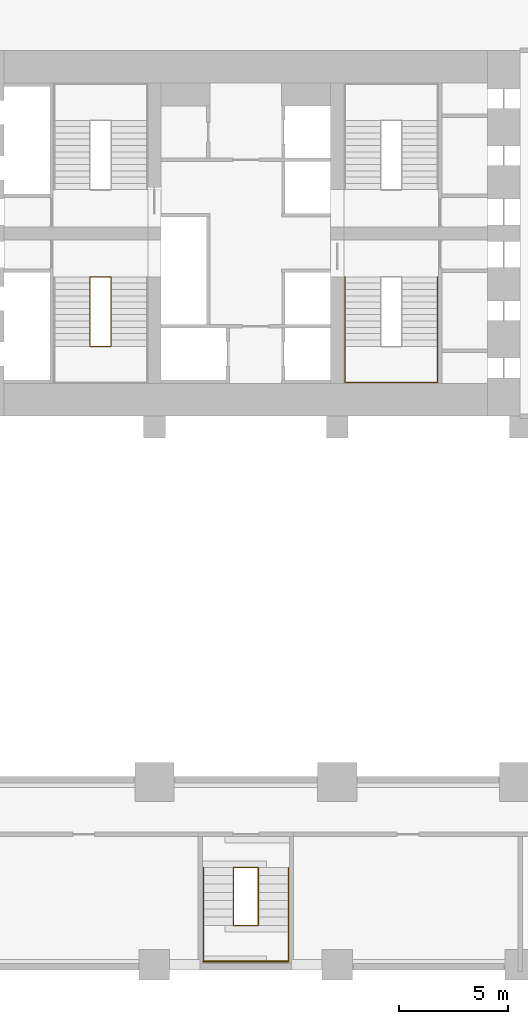
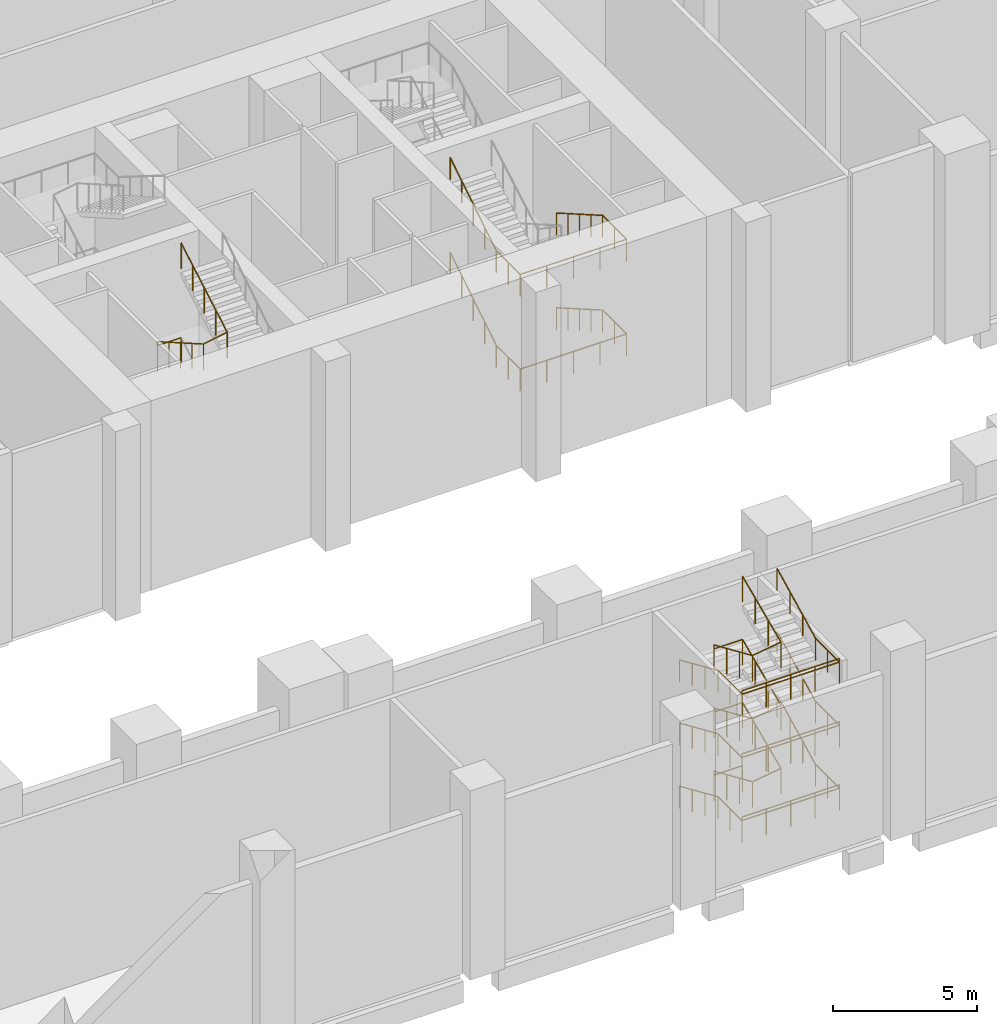
# One storey, part 14 of 19: 12 railings.
"""IFC4 building model written with IfcOpenShell, lengths in metres."""

from ifc_helpers import new_model, si_unit, direction, frame, origin, origin_2d, place, context, subcontext, project, spatial, circle, extrude, material, type_object, element, save


model = new_model("IFC4")

# Units and contexts
model_context = context("Model", 3, precision=1e-05, world=origin(), true_north=direction((0.0, 1.0)))
body_context = subcontext(model_context, "Body", "Model", "MODEL_VIEW")
ifc_project = project(units=[si_unit("LENGTHUNIT", "METRE"), si_unit("AREAUNIT", "SQUARE_METRE"), si_unit("VOLUMEUNIT", "CUBIC_METRE"), si_unit("PLANEANGLEUNIT", "RADIAN"), si_unit("MASSUNIT", "GRAM", prefix="KILO")], contexts=[model_context])

# Site, building, storey
site_placement = place(None, origin())
site = spatial("IfcSite", under=ifc_project, at=site_placement, CompositionType="ELEMENT")
building_placement = place(site_placement, origin())
building = spatial("IfcBuilding", under=site, at=building_placement, Name="Marenta Gate Hotel Tower", CompositionType="ELEMENT")
storey_placement = place(building_placement, frame((0.0, 0.0, 13.0)))
storey = spatial("IfcBuildingStorey", under=building, at=storey_placement, Name="L02", CompositionType="ELEMENT", Elevation=13.0)

# Railings
ifc_material_1 = material(Name="Stainless steel", Category="steel")
railing_type_1 = type_object("IfcRailingType", Name="Core stair handrail 950", PredefinedType="HANDRAIL", material=ifc_material_1)
railing_1_placement = place(storey_placement, frame((8.800048828125, 6.39990234375, 0.166748046875)))
element("IfcRailing", 1, at=railing_1_placement, inside=storey, type_object=railing_type_1, Name="HR-950 L02-KR-ST3-1", PredefinedType="HANDRAIL", context=body_context, shape_type="SweptSolid", body=[
    extrude(circle(Radius=0.02392578125, at=origin_2d()), frame((0.0, 0.0, 0.92578125), z_axis=(0.0, -0.867019545617, 0.498274128887), x_axis=(1.0, 0.0, 0.0)), (0.0, 0.0, 1.0), 3.67919921875),
    extrude(circle(Radius=0.02392578125, at=origin_2d()), frame((0.0, -3.18994140625, 2.75927734375), z_axis=(0.0, -1.0, 0.0), x_axis=(1.0, 0.0, 0.0)), (0.0, 0.0, 1.0), 1.659912109375),
    extrude(circle(Radius=0.02392578125, at=origin_2d()), frame((0.0, -4.849853515625, 2.75927734375), z_axis=(-1.0, 0.0, 0.0), x_axis=(0.0, -1.0, 0.0)), (0.0, 0.0, 1.0), 4.25),
    extrude(circle(Radius=0.02392578125, at=origin_2d()), frame((-4.25, -4.849853515625, 2.75927734375), z_axis=(0.0, 1.0, 0.0), x_axis=(-1.0, 0.0, 0.0)), (0.0, 0.0, 1.0), 1.659912109375),
    extrude(circle(Radius=0.02392578125, at=origin_2d()), frame((-4.25, -3.18994140625, 2.75927734375), z_axis=(0.0, 0.847247016309, 0.531199108955), x_axis=(-1.0, 0.0, 0.0)), (0.0, 0.0, 1.0), 3.76513671875),
    extrude(circle(Radius=0.02099609375, at=origin_2d()), origin(), (0.0, 0.0, 1.0), 0.90185546875),
    extrude(circle(Radius=0.02099609375, at=origin_2d()), frame((0.0, -0.79736328125, 0.458251953125)), (0.0, 0.0, 1.0), 0.90185546875),
    extrude(circle(Radius=0.02099609375, at=origin_2d()), frame((0.0, -1.594970703125, 0.91650390625)), (0.0, 0.0, 1.0), 0.90185546875),
    extrude(circle(Radius=0.02099609375, at=origin_2d()), frame((0.0, -2.392578125, 1.375)), (0.0, 0.0, 1.0), 0.90185546875),
    extrude(circle(Radius=0.02099609375, at=origin_2d()), frame((0.0, -3.18994140625, 1.833251953125)), (0.0, 0.0, 1.0), 0.90185546875),
    extrude(circle(Radius=0.02099609375, at=origin_2d()), frame((0.0, -4.02001953125, 1.833251953125)), (0.0, 0.0, 1.0), 0.90185546875),
    extrude(circle(Radius=0.02099609375, at=origin_2d()), frame((0.0, -4.849853515625, 1.833251953125)), (0.0, 0.0, 1.0), 0.90185546875),
    extrude(circle(Radius=0.02099609375, at=origin_2d()), frame((-1.0625, -4.849853515625, 1.833251953125)), (0.0, 0.0, 1.0), 0.90185546875),
    extrude(circle(Radius=0.02099609375, at=origin_2d()), frame((-2.125, -4.849853515625, 1.833251953125)), (0.0, 0.0, 1.0), 0.90185546875),
    extrude(circle(Radius=0.02099609375, at=origin_2d()), frame((-3.1875, -4.849853515625, 1.833251953125)), (0.0, 0.0, 1.0), 0.90185546875),
    extrude(circle(Radius=0.02099609375, at=origin_2d()), frame((-4.25, -4.849853515625, 1.833251953125)), (0.0, 0.0, 1.0), 0.90185546875),
    extrude(circle(Radius=0.02099609375, at=origin_2d()), frame((-4.25, -4.02001953125, 1.833251953125)), (0.0, 0.0, 1.0), 0.90185546875),
    extrude(circle(Radius=0.02099609375, at=origin_2d()), frame((-4.25, -3.18994140625, 1.833251953125)), (0.0, 0.0, 1.0), 0.90185546875),
    extrude(circle(Radius=0.02099609375, at=origin_2d()), frame((-4.25, -2.392578125, 2.333251953125)), (0.0, 0.0, 1.0), 0.90185546875),
    extrude(circle(Radius=0.02099609375, at=origin_2d()), frame((-4.25, -1.594970703125, 2.833251953125)), (0.0, 0.0, 1.0), 0.90185546875),
    extrude(circle(Radius=0.02099609375, at=origin_2d()), frame((-4.25, -0.79736328125, 3.333251953125)), (0.0, 0.0, 1.0), 0.90185546875),
    extrude(circle(Radius=0.02099609375, at=origin_2d()), frame((-4.25, 0.0, 3.833251953125)), (0.0, 0.0, 1.0), 0.90185546875),
])
railing_2_placement = place(storey_placement, frame((8.800048828125, 6.39990234375, 4.166748046875)))
element("IfcRailing", 2, at=railing_2_placement, inside=storey, type_object=railing_type_1, Name="HR-950 L02-KR-ST3-3", PredefinedType="HANDRAIL", context=body_context, shape_type="SweptSolid", body=[
    extrude(circle(Radius=0.02392578125, at=origin_2d()), frame((0.0, 0.0, 0.92578125), z_axis=(0.0, -0.867019545617, 0.498274128887), x_axis=(1.0, 0.0, 0.0)), (0.0, 0.0, 1.0), 3.67919921875),
    extrude(circle(Radius=0.02392578125, at=origin_2d()), frame((0.0, -3.18994140625, 2.75927734375), z_axis=(0.0, -1.0, 0.0), x_axis=(1.0, 0.0, 0.0)), (0.0, 0.0, 1.0), 1.659912109375),
    extrude(circle(Radius=0.02392578125, at=origin_2d()), frame((0.0, -4.849853515625, 2.75927734375), z_axis=(-1.0, 0.0, 0.0), x_axis=(0.0, -1.0, 0.0)), (0.0, 0.0, 1.0), 4.25),
    extrude(circle(Radius=0.02392578125, at=origin_2d()), frame((-4.25, -4.849853515625, 2.75927734375), z_axis=(0.0, 1.0, 0.0), x_axis=(-1.0, 0.0, 0.0)), (0.0, 0.0, 1.0), 1.659912109375),
    extrude(circle(Radius=0.02392578125, at=origin_2d()), frame((-4.25, -3.18994140625, 2.75927734375), z_axis=(0.0, 0.847247016309, 0.531199108955), x_axis=(-1.0, 0.0, 0.0)), (0.0, 0.0, 1.0), 3.76513671875),
    extrude(circle(Radius=0.02099609375, at=origin_2d()), origin(), (0.0, 0.0, 1.0), 0.90185546875),
    extrude(circle(Radius=0.02099609375, at=origin_2d()), frame((0.0, -0.79736328125, 0.458251953125)), (0.0, 0.0, 1.0), 0.90185546875),
    extrude(circle(Radius=0.02099609375, at=origin_2d()), frame((0.0, -1.594970703125, 0.91650390625)), (0.0, 0.0, 1.0), 0.90185546875),
    extrude(circle(Radius=0.02099609375, at=origin_2d()), frame((0.0, -2.392578125, 1.375)), (0.0, 0.0, 1.0), 0.90185546875),
    extrude(circle(Radius=0.02099609375, at=origin_2d()), frame((0.0, -3.18994140625, 1.833251953125)), (0.0, 0.0, 1.0), 0.90185546875),
    extrude(circle(Radius=0.02099609375, at=origin_2d()), frame((0.0, -4.02001953125, 1.833251953125)), (0.0, 0.0, 1.0), 0.90185546875),
    extrude(circle(Radius=0.02099609375, at=origin_2d()), frame((0.0, -4.849853515625, 1.833251953125)), (0.0, 0.0, 1.0), 0.90185546875),
    extrude(circle(Radius=0.02099609375, at=origin_2d()), frame((-1.0625, -4.849853515625, 1.833251953125)), (0.0, 0.0, 1.0), 0.90185546875),
    extrude(circle(Radius=0.02099609375, at=origin_2d()), frame((-2.125, -4.849853515625, 1.833251953125)), (0.0, 0.0, 1.0), 0.90185546875),
    extrude(circle(Radius=0.02099609375, at=origin_2d()), frame((-3.1875, -4.849853515625, 1.833251953125)), (0.0, 0.0, 1.0), 0.90185546875),
    extrude(circle(Radius=0.02099609375, at=origin_2d()), frame((-4.25, -4.849853515625, 1.833251953125)), (0.0, 0.0, 1.0), 0.90185546875),
    extrude(circle(Radius=0.02099609375, at=origin_2d()), frame((-4.25, -4.02001953125, 1.833251953125)), (0.0, 0.0, 1.0), 0.90185546875),
    extrude(circle(Radius=0.02099609375, at=origin_2d()), frame((-4.25, -3.18994140625, 1.833251953125)), (0.0, 0.0, 1.0), 0.90185546875),
    extrude(circle(Radius=0.02099609375, at=origin_2d()), frame((-4.25, -2.392578125, 2.333251953125)), (0.0, 0.0, 1.0), 0.90185546875),
    extrude(circle(Radius=0.02099609375, at=origin_2d()), frame((-4.25, -1.594970703125, 2.833251953125)), (0.0, 0.0, 1.0), 0.90185546875),
    extrude(circle(Radius=0.02099609375, at=origin_2d()), frame((-4.25, -0.79736328125, 3.333251953125)), (0.0, 0.0, 1.0), 0.90185546875),
    extrude(circle(Radius=0.02099609375, at=origin_2d()), frame((-4.25, 0.0, 3.833251953125)), (0.0, 0.0, 1.0), 0.90185546875),
])
railing_3_placement = place(storey_placement, frame((-1.949951171875, -20.72998046875, 0.166748046875)))
element("IfcRailing", 3, at=railing_3_placement, inside=storey, type_object=railing_type_1, Name="HR-950 L02-KR-PX5-2", PredefinedType="HANDRAIL", context=body_context, shape_type="SweptSolid", body=[
    extrude(circle(Radius=0.02392578125, at=origin_2d()), frame((0.0, 0.0, 0.92578125), z_axis=(0.0, -0.915803938995, 0.401625628317), x_axis=(1.0, 0.0, 0.0)), (0.0, 0.0, 1.0), 2.904541015625),
    extrude(circle(Radius=0.02392578125, at=origin_2d()), frame((0.0, -2.659912109375, 2.09228515625), z_axis=(0.0, -1.0, 0.0), x_axis=(1.0, 0.0, 0.0)), (0.0, 0.0, 1.0), 1.66015625),
    extrude(circle(Radius=0.02392578125, at=origin_2d()), frame((0.0, -4.320068359375, 2.09228515625), z_axis=(1.0, 0.0, 0.0), x_axis=(0.0, 1.0, 0.0)), (0.0, 0.0, 1.0), 3.89990234375),
    extrude(circle(Radius=0.02392578125, at=origin_2d()), frame((3.89990234375, -4.320068359375, 2.09228515625), z_axis=(0.0, 1.0, 0.0), x_axis=(-1.0, 0.0, 0.0)), (0.0, 0.0, 1.0), 1.66015625),
    extrude(circle(Radius=0.02392578125, at=origin_2d()), frame((3.89990234375, -2.659912109375, 2.09228515625), z_axis=(0.0, 0.89395078604, 0.448165139362), x_axis=(-1.0, 0.0, 0.0)), (0.0, 0.0, 1.0), 2.975341796875),
    extrude(circle(Radius=0.02099609375, at=origin_2d()), origin(), (0.0, 0.0, 1.0), 0.90185546875),
    extrude(circle(Radius=0.02099609375, at=origin_2d()), frame((0.0, -0.88671875, 0.388916015625)), (0.0, 0.0, 1.0), 0.90185546875),
    extrude(circle(Radius=0.02099609375, at=origin_2d()), frame((0.0, -1.773193359375, 0.777587890625)), (0.0, 0.0, 1.0), 0.90185546875),
    extrude(circle(Radius=0.02099609375, at=origin_2d()), frame((0.0, -2.659912109375, 1.16650390625)), (0.0, 0.0, 1.0), 0.90185546875),
    extrude(circle(Radius=0.02099609375, at=origin_2d()), frame((0.0, -3.489990234375, 1.16650390625)), (0.0, 0.0, 1.0), 0.90185546875),
    extrude(circle(Radius=0.02099609375, at=origin_2d()), frame((0.0, -4.320068359375, 1.16650390625)), (0.0, 0.0, 1.0), 0.90185546875),
    extrude(circle(Radius=0.02099609375, at=origin_2d()), frame((0.97509765625, -4.320068359375, 1.16650390625)), (0.0, 0.0, 1.0), 0.90185546875),
    extrude(circle(Radius=0.02099609375, at=origin_2d()), frame((1.949951171875, -4.320068359375, 1.16650390625)), (0.0, 0.0, 1.0), 0.90185546875),
    extrude(circle(Radius=0.02099609375, at=origin_2d()), frame((2.9248046875, -4.320068359375, 1.16650390625)), (0.0, 0.0, 1.0), 0.90185546875),
    extrude(circle(Radius=0.02099609375, at=origin_2d()), frame((3.89990234375, -4.320068359375, 1.16650390625)), (0.0, 0.0, 1.0), 0.90185546875),
    extrude(circle(Radius=0.02099609375, at=origin_2d()), frame((3.89990234375, -3.489990234375, 1.16650390625)), (0.0, 0.0, 1.0), 0.90185546875),
    extrude(circle(Radius=0.02099609375, at=origin_2d()), frame((3.89990234375, -2.659912109375, 1.16650390625)), (0.0, 0.0, 1.0), 0.90185546875),
    extrude(circle(Radius=0.02099609375, at=origin_2d()), frame((3.89990234375, -1.773193359375, 1.611083984375)), (0.0, 0.0, 1.0), 0.90185546875),
    extrude(circle(Radius=0.02099609375, at=origin_2d()), frame((3.89990234375, -0.88671875, 2.055419921875)), (0.0, 0.0, 1.0), 0.90185546875),
    extrude(circle(Radius=0.02099609375, at=origin_2d()), frame((3.89990234375, 0.0, 2.5)), (0.0, 0.0, 1.0), 0.90185546875),
])
railing_4_placement = place(storey_placement, frame((-1.949951171875, -20.72998046875, 2.833251953125)))
element("IfcRailing", 4, at=railing_4_placement, inside=storey, type_object=railing_type_1, Name="HR-950 L02-KR-PX5-5", PredefinedType="HANDRAIL", context=body_context, shape_type="SweptSolid", body=[
    extrude(circle(Radius=0.02392578125, at=origin_2d()), frame((0.0, 0.0, 0.92578125), z_axis=(0.0, -0.915773020194, 0.401696123314), x_axis=(1.0, 0.0, 0.0)), (0.0, 0.0, 1.0), 2.904541015625),
    extrude(circle(Radius=0.02392578125, at=origin_2d()), frame((0.0, -2.659912109375, 2.0927734375), z_axis=(0.0, -1.0, 0.0), x_axis=(1.0, 0.0, 0.0)), (0.0, 0.0, 1.0), 1.66015625),
    extrude(circle(Radius=0.02392578125, at=origin_2d()), frame((0.0, -4.320068359375, 2.0927734375), z_axis=(1.0, 0.0, 0.0), x_axis=(0.0, 1.0, 0.0)), (0.0, 0.0, 1.0), 3.89990234375),
    extrude(circle(Radius=0.02392578125, at=origin_2d()), frame((3.89990234375, -4.320068359375, 2.0927734375), z_axis=(0.0, 1.0, 0.0), x_axis=(-1.0, 0.0, 0.0)), (0.0, 0.0, 1.0), 1.66015625),
    extrude(circle(Radius=0.02392578125, at=origin_2d()), frame((3.89990234375, -2.659912109375, 2.0927734375), z_axis=(0.0, 0.893983657746, 0.448099564475), x_axis=(-1.0, 0.0, 0.0)), (0.0, 0.0, 1.0), 2.975341796875),
    extrude(circle(Radius=0.02099609375, at=origin_2d()), origin(), (0.0, 0.0, 1.0), 0.90185546875),
    extrude(circle(Radius=0.02099609375, at=origin_2d()), frame((0.0, -0.88671875, 0.388916015625)), (0.0, 0.0, 1.0), 0.90185546875),
    extrude(circle(Radius=0.02099609375, at=origin_2d()), frame((0.0, -1.773193359375, 0.77783203125)), (0.0, 0.0, 1.0), 0.90185546875),
    extrude(circle(Radius=0.02099609375, at=origin_2d()), frame((0.0, -2.659912109375, 1.166748046875)), (0.0, 0.0, 1.0), 0.90185546875),
    extrude(circle(Radius=0.02099609375, at=origin_2d()), frame((0.0, -3.489990234375, 1.166748046875)), (0.0, 0.0, 1.0), 0.90185546875),
    extrude(circle(Radius=0.02099609375, at=origin_2d()), frame((0.0, -4.320068359375, 1.166748046875)), (0.0, 0.0, 1.0), 0.90185546875),
    extrude(circle(Radius=0.02099609375, at=origin_2d()), frame((0.97509765625, -4.320068359375, 1.166748046875)), (0.0, 0.0, 1.0), 0.90185546875),
    extrude(circle(Radius=0.02099609375, at=origin_2d()), frame((1.949951171875, -4.320068359375, 1.166748046875)), (0.0, 0.0, 1.0), 0.90185546875),
    extrude(circle(Radius=0.02099609375, at=origin_2d()), frame((2.9248046875, -4.320068359375, 1.166748046875)), (0.0, 0.0, 1.0), 0.90185546875),
    extrude(circle(Radius=0.02099609375, at=origin_2d()), frame((3.89990234375, -4.320068359375, 1.166748046875)), (0.0, 0.0, 1.0), 0.90185546875),
    extrude(circle(Radius=0.02099609375, at=origin_2d()), frame((3.89990234375, -3.489990234375, 1.166748046875)), (0.0, 0.0, 1.0), 0.90185546875),
    extrude(circle(Radius=0.02099609375, at=origin_2d()), frame((3.89990234375, -2.659912109375, 1.166748046875)), (0.0, 0.0, 1.0), 0.90185546875),
    extrude(circle(Radius=0.02099609375, at=origin_2d()), frame((3.89990234375, -1.773193359375, 1.611083984375)), (0.0, 0.0, 1.0), 0.90185546875),
    extrude(circle(Radius=0.02099609375, at=origin_2d()), frame((3.89990234375, -0.88671875, 2.0556640625)), (0.0, 0.0, 1.0), 0.90185546875),
    extrude(circle(Radius=0.02099609375, at=origin_2d()), frame((3.89990234375, 0.0, 2.5)), (0.0, 0.0, 1.0), 0.90185546875),
])
railing_5_placement = place(storey_placement, frame((-1.949951171875, -20.72998046875, 5.5)))
element("IfcRailing", 5, at=railing_5_placement, inside=storey, type_object=railing_type_1, Name="HR-950 L02-KR-PX5-8", PredefinedType="HANDRAIL", context=body_context, shape_type="SweptSolid", body=[
    extrude(circle(Radius=0.02392578125, at=origin_2d()), frame((0.0, 0.0, 0.92578125), z_axis=(0.0, -0.915773020194, 0.401696123314), x_axis=(1.0, 0.0, 0.0)), (0.0, 0.0, 1.0), 2.904541015625),
    extrude(circle(Radius=0.02392578125, at=origin_2d()), frame((0.0, -2.659912109375, 2.0927734375), z_axis=(0.0, -1.0, 0.0), x_axis=(1.0, 0.0, 0.0)), (0.0, 0.0, 1.0), 1.66015625),
    extrude(circle(Radius=0.02392578125, at=origin_2d()), frame((0.0, -4.320068359375, 2.0927734375), z_axis=(1.0, 0.0, 0.0), x_axis=(0.0, 1.0, 0.0)), (0.0, 0.0, 1.0), 3.89990234375),
    extrude(circle(Radius=0.02392578125, at=origin_2d()), frame((3.89990234375, -4.320068359375, 2.0927734375), z_axis=(0.0, 1.0, 0.0), x_axis=(-1.0, 0.0, 0.0)), (0.0, 0.0, 1.0), 1.66015625),
    extrude(circle(Radius=0.02392578125, at=origin_2d()), frame((3.89990234375, -2.659912109375, 2.0927734375), z_axis=(0.0, 0.893983657746, 0.448099564475), x_axis=(-1.0, 0.0, 0.0)), (0.0, 0.0, 1.0), 2.975341796875),
    extrude(circle(Radius=0.02099609375, at=origin_2d()), origin(), (0.0, 0.0, 1.0), 0.90185546875),
    extrude(circle(Radius=0.02099609375, at=origin_2d()), frame((0.0, -0.88671875, 0.388916015625)), (0.0, 0.0, 1.0), 0.90185546875),
    extrude(circle(Radius=0.02099609375, at=origin_2d()), frame((0.0, -1.773193359375, 0.77783203125)), (0.0, 0.0, 1.0), 0.90185546875),
    extrude(circle(Radius=0.02099609375, at=origin_2d()), frame((0.0, -2.659912109375, 1.166748046875)), (0.0, 0.0, 1.0), 0.90185546875),
    extrude(circle(Radius=0.02099609375, at=origin_2d()), frame((0.0, -3.489990234375, 1.166748046875)), (0.0, 0.0, 1.0), 0.90185546875),
    extrude(circle(Radius=0.02099609375, at=origin_2d()), frame((0.0, -4.320068359375, 1.166748046875)), (0.0, 0.0, 1.0), 0.90185546875),
    extrude(circle(Radius=0.02099609375, at=origin_2d()), frame((0.97509765625, -4.320068359375, 1.166748046875)), (0.0, 0.0, 1.0), 0.90185546875),
    extrude(circle(Radius=0.02099609375, at=origin_2d()), frame((1.949951171875, -4.320068359375, 1.166748046875)), (0.0, 0.0, 1.0), 0.90185546875),
    extrude(circle(Radius=0.02099609375, at=origin_2d()), frame((2.9248046875, -4.320068359375, 1.166748046875)), (0.0, 0.0, 1.0), 0.90185546875),
    extrude(circle(Radius=0.02099609375, at=origin_2d()), frame((3.89990234375, -4.320068359375, 1.166748046875)), (0.0, 0.0, 1.0), 0.90185546875),
    extrude(circle(Radius=0.02099609375, at=origin_2d()), frame((3.89990234375, -3.489990234375, 1.166748046875)), (0.0, 0.0, 1.0), 0.90185546875),
    extrude(circle(Radius=0.02099609375, at=origin_2d()), frame((3.89990234375, -2.659912109375, 1.166748046875)), (0.0, 0.0, 1.0), 0.90185546875),
    extrude(circle(Radius=0.02099609375, at=origin_2d()), frame((3.89990234375, -1.773193359375, 1.611083984375)), (0.0, 0.0, 1.0), 0.90185546875),
    extrude(circle(Radius=0.02099609375, at=origin_2d()), frame((3.89990234375, -0.88671875, 2.0556640625)), (0.0, 0.0, 1.0), 0.90185546875),
    extrude(circle(Radius=0.02099609375, at=origin_2d()), frame((3.89990234375, 0.0, 2.5)), (0.0, 0.0, 1.0), 0.90185546875),
])
ifc_material_2 = material(Name="Stainless steel", Category="steel")
railing_type_2 = type_object("IfcRailingType", Name="Core stair well guard 1100", PredefinedType="GUARDRAIL", material=ifc_material_2)
railing_6_placement = place(storey_placement, frame((-6.199951171875, 6.39990234375, 4.0)))
element("IfcRailing", 6, at=railing_6_placement, inside=storey, type_object=railing_type_2, Name="GR-1100 L02-KR-ST1-4", PredefinedType="GUARDRAIL", context=body_context, shape_type="SweptSolid", body=[
    extrude(circle(Radius=0.02392578125, at=origin_2d()), frame((0.0, 0.0, 1.076171875), z_axis=(-1.0, 0.0, 0.0), x_axis=(0.0, -1.0, 0.0)), (0.0, 0.0, 1.0), 0.949951171875),
    extrude(circle(Radius=0.02392578125, at=origin_2d()), frame((-0.949951171875, 0.0, 1.076171875), z_axis=(0.0, 0.0, 1.0), x_axis=(1.0, 0.0, 0.0)), (0.0, 0.0, 1.0), 0.166748046875),
    extrude(circle(Radius=0.02392578125, at=origin_2d()), frame((-0.949951171875, 0.0, 1.24267578125), z_axis=(0.0, -0.867019545617, 0.498274128887), x_axis=(1.0, 0.0, 0.0)), (0.0, 0.0, 1.0), 3.67919921875),
    extrude(circle(Radius=0.02392578125, at=origin_2d()), frame((-0.949951171875, -3.18994140625, 3.076171875), z_axis=(0.984941147704, 0.0, 0.172889952167), x_axis=(0.0, 1.0, 0.0)), (0.0, 0.0, 1.0), 0.96435546875),
    extrude(circle(Radius=0.02392578125, at=origin_2d()), frame((0.0, -3.18994140625, 3.24267578125), z_axis=(0.0, 0.867019545617, 0.498274128887), x_axis=(-1.0, 0.0, 0.0)), (0.0, 0.0, 1.0), 3.67919921875),
    extrude(circle(Radius=0.02099609375, at=origin_2d()), origin(), (0.0, 0.0, 1.0), 1.052001953125),
    extrude(circle(Radius=0.02099609375, at=origin_2d()), frame((-0.949951171875, 0.0, 0.0)), (0.0, 0.0, 1.0), 1.052001953125),
    extrude(circle(Radius=0.02099609375, at=origin_2d()), frame((-0.949951171875, 0.0, 0.166748046875)), (0.0, 0.0, 1.0), 1.052001953125),
    extrude(circle(Radius=0.02099609375, at=origin_2d()), frame((-0.949951171875, -0.79736328125, 0.625)), (0.0, 0.0, 1.0), 1.052001953125),
    extrude(circle(Radius=0.02099609375, at=origin_2d()), frame((-0.949951171875, -1.594970703125, 1.08349609375)), (0.0, 0.0, 1.0), 1.052001953125),
    extrude(circle(Radius=0.02099609375, at=origin_2d()), frame((-0.949951171875, -2.392578125, 1.541748046875)), (0.0, 0.0, 1.0), 1.052001953125),
    extrude(circle(Radius=0.02099609375, at=origin_2d()), frame((-0.949951171875, -3.18994140625, 2.0)), (0.0, 0.0, 1.0), 1.052001953125),
    extrude(circle(Radius=0.02099609375, at=origin_2d()), frame((0.0, -3.18994140625, 2.166748046875)), (0.0, 0.0, 1.0), 1.052001953125),
    extrude(circle(Radius=0.02099609375, at=origin_2d()), frame((0.0, -2.392578125, 2.625)), (0.0, 0.0, 1.0), 1.052001953125),
    extrude(circle(Radius=0.02099609375, at=origin_2d()), frame((0.0, -1.594970703125, 3.08349609375)), (0.0, 0.0, 1.0), 1.052001953125),
    extrude(circle(Radius=0.02099609375, at=origin_2d()), frame((0.0, -0.79736328125, 3.541748046875)), (0.0, 0.0, 1.0), 1.052001953125),
    extrude(circle(Radius=0.02099609375, at=origin_2d()), frame((0.0, 0.0, 4.0)), (0.0, 0.0, 1.0), 1.052001953125),
])
railing_7_placement = place(storey_placement, frame((-1.949951171875, -25.050048828125, 1.333251953125)))
element("IfcRailing", 7, at=railing_7_placement, inside=storey, type_object=railing_type_2, Name="GR-1100 L02-KR-PX5-1", PredefinedType="GUARDRAIL", context=body_context, shape_type="SweptSolid", body=[
    extrude(circle(Radius=0.02392578125, at=origin_2d()), frame((0.0, 0.0, 1.076171875), z_axis=(1.0, 0.0, 0.0), x_axis=(0.0, 1.0, 0.0)), (0.0, 0.0, 1.0), 3.89990234375),
    extrude(circle(Radius=0.02099609375, at=origin_2d()), origin(), (0.0, 0.0, 1.0), 1.052001953125),
    extrude(circle(Radius=0.02099609375, at=origin_2d()), frame((0.97509765625, 0.0, 0.0)), (0.0, 0.0, 1.0), 1.052001953125),
    extrude(circle(Radius=0.02099609375, at=origin_2d()), frame((1.949951171875, 0.0, 0.0)), (0.0, 0.0, 1.0), 1.052001953125),
    extrude(circle(Radius=0.02099609375, at=origin_2d()), frame((2.9248046875, 0.0, 0.0)), (0.0, 0.0, 1.0), 1.052001953125),
    extrude(circle(Radius=0.02099609375, at=origin_2d()), frame((3.89990234375, 0.0, 0.0)), (0.0, 0.0, 1.0), 1.052001953125),
])
railing_8_placement = place(storey_placement, frame((0.570068359375, -20.72998046875, 0.0)))
element("IfcRailing", 8, at=railing_8_placement, inside=storey, type_object=railing_type_2, Name="GR-1100 L02-KR-PX5-3", PredefinedType="GUARDRAIL", context=body_context, shape_type="SweptSolid", body=[
    extrude(circle(Radius=0.02392578125, at=origin_2d()), frame((0.0, 0.0, 1.076171875), z_axis=(-1.0, 0.0, 0.0), x_axis=(0.0, -1.0, 0.0)), (0.0, 0.0, 1.0), 1.14013671875),
    extrude(circle(Radius=0.02392578125, at=origin_2d()), frame((-1.14013671875, 0.0, 1.076171875), z_axis=(0.0, 0.0, 1.0), x_axis=(1.0, 0.0, 0.0)), (0.0, 0.0, 1.0), 0.166748046875),
    extrude(circle(Radius=0.02392578125, at=origin_2d()), frame((-1.14013671875, 0.0, 1.24267578125), z_axis=(0.0, -0.915803938995, 0.401625628317), x_axis=(1.0, 0.0, 0.0)), (0.0, 0.0, 1.0), 2.904541015625),
    extrude(circle(Radius=0.02392578125, at=origin_2d()), frame((-1.14013671875, -2.659912109375, 2.4091796875), z_axis=(0.989473647251, 0.0, 0.144713169394), x_axis=(0.0, 1.0, 0.0)), (0.0, 0.0, 1.0), 1.15234375),
    extrude(circle(Radius=0.02392578125, at=origin_2d()), frame((0.0, -2.659912109375, 2.576171875), z_axis=(0.0, 0.915773020194, 0.401696123314), x_axis=(-1.0, 0.0, 0.0)), (0.0, 0.0, 1.0), 2.904541015625),
    extrude(circle(Radius=0.02099609375, at=origin_2d()), origin(), (0.0, 0.0, 1.0), 1.052001953125),
    extrude(circle(Radius=0.02099609375, at=origin_2d()), frame((-1.14013671875, 0.0, 0.0)), (0.0, 0.0, 1.0), 1.052001953125),
    extrude(circle(Radius=0.02099609375, at=origin_2d()), frame((-1.14013671875, 0.0, 0.166748046875)), (0.0, 0.0, 1.0), 1.052001953125),
    extrude(circle(Radius=0.02099609375, at=origin_2d()), frame((-1.14013671875, -0.88671875, 0.5556640625)), (0.0, 0.0, 1.0), 1.052001953125),
    extrude(circle(Radius=0.02099609375, at=origin_2d()), frame((-1.14013671875, -1.773193359375, 0.9443359375)), (0.0, 0.0, 1.0), 1.052001953125),
    extrude(circle(Radius=0.02099609375, at=origin_2d()), frame((-1.14013671875, -2.659912109375, 1.333251953125)), (0.0, 0.0, 1.0), 1.052001953125),
    extrude(circle(Radius=0.02099609375, at=origin_2d()), frame((0.0, -2.659912109375, 1.5)), (0.0, 0.0, 1.0), 1.052001953125),
    extrude(circle(Radius=0.02099609375, at=origin_2d()), frame((0.0, -1.773193359375, 1.888916015625)), (0.0, 0.0, 1.0), 1.052001953125),
    extrude(circle(Radius=0.02099609375, at=origin_2d()), frame((0.0, -0.88671875, 2.27783203125)), (0.0, 0.0, 1.0), 1.052001953125),
    extrude(circle(Radius=0.02099609375, at=origin_2d()), frame((0.0, 0.0, 2.666748046875)), (0.0, 0.0, 1.0), 1.052001953125),
])
railing_9_placement = place(storey_placement, frame((-1.949951171875, -25.050048828125, 4.0)))
element("IfcRailing", 9, at=railing_9_placement, inside=storey, type_object=railing_type_2, Name="GR-1100 L02-KR-PX5-4", PredefinedType="GUARDRAIL", context=body_context, shape_type="SweptSolid", body=[
    extrude(circle(Radius=0.02392578125, at=origin_2d()), frame((0.0, 0.0, 1.076171875), z_axis=(1.0, 0.0, 0.0), x_axis=(0.0, 1.0, 0.0)), (0.0, 0.0, 1.0), 3.89990234375),
    extrude(circle(Radius=0.02099609375, at=origin_2d()), origin(), (0.0, 0.0, 1.0), 1.052001953125),
    extrude(circle(Radius=0.02099609375, at=origin_2d()), frame((0.97509765625, 0.0, 0.0)), (0.0, 0.0, 1.0), 1.052001953125),
    extrude(circle(Radius=0.02099609375, at=origin_2d()), frame((1.949951171875, 0.0, 0.0)), (0.0, 0.0, 1.0), 1.052001953125),
    extrude(circle(Radius=0.02099609375, at=origin_2d()), frame((2.9248046875, 0.0, 0.0)), (0.0, 0.0, 1.0), 1.052001953125),
    extrude(circle(Radius=0.02099609375, at=origin_2d()), frame((3.89990234375, 0.0, 0.0)), (0.0, 0.0, 1.0), 1.052001953125),
])
railing_10_placement = place(storey_placement, frame((0.570068359375, -20.72998046875, 2.666748046875)))
element("IfcRailing", 10, at=railing_10_placement, inside=storey, type_object=railing_type_2, Name="GR-1100 L02-KR-PX5-6", PredefinedType="GUARDRAIL", context=body_context, shape_type="SweptSolid", body=[
    extrude(circle(Radius=0.02392578125, at=origin_2d()), frame((0.0, 0.0, 1.076171875), z_axis=(-1.0, 0.0, 0.0), x_axis=(0.0, -1.0, 0.0)), (0.0, 0.0, 1.0), 1.14013671875),
    extrude(circle(Radius=0.02392578125, at=origin_2d()), frame((-1.14013671875, 0.0, 1.076171875), z_axis=(0.0, 0.0, 1.0), x_axis=(1.0, 0.0, 0.0)), (0.0, 0.0, 1.0), 0.16650390625),
    extrude(circle(Radius=0.02392578125, at=origin_2d()), frame((-1.14013671875, 0.0, 1.24267578125), z_axis=(0.0, -0.915773020194, 0.401696123314), x_axis=(1.0, 0.0, 0.0)), (0.0, 0.0, 1.0), 2.904541015625),
    extrude(circle(Radius=0.02392578125, at=origin_2d()), frame((-1.14013671875, -2.659912109375, 2.4091796875), z_axis=(0.989473647251, 0.0, 0.144713169394), x_axis=(0.0, 1.0, 0.0)), (0.0, 0.0, 1.0), 1.15234375),
    extrude(circle(Radius=0.02392578125, at=origin_2d()), frame((0.0, -2.659912109375, 2.576171875), z_axis=(0.0, 0.915803938995, 0.401625628317), x_axis=(-1.0, 0.0, 0.0)), (0.0, 0.0, 1.0), 2.904541015625),
    extrude(circle(Radius=0.02099609375, at=origin_2d()), origin(), (0.0, 0.0, 1.0), 1.052001953125),
    extrude(circle(Radius=0.02099609375, at=origin_2d()), frame((-1.14013671875, 0.0, 0.0)), (0.0, 0.0, 1.0), 1.052001953125),
    extrude(circle(Radius=0.02099609375, at=origin_2d()), frame((-1.14013671875, 0.0, 0.16650390625)), (0.0, 0.0, 1.0), 1.052001953125),
    extrude(circle(Radius=0.02099609375, at=origin_2d()), frame((-1.14013671875, -0.88671875, 0.555419921875)), (0.0, 0.0, 1.0), 1.052001953125),
    extrude(circle(Radius=0.02099609375, at=origin_2d()), frame((-1.14013671875, -1.773193359375, 0.9443359375)), (0.0, 0.0, 1.0), 1.052001953125),
    extrude(circle(Radius=0.02099609375, at=origin_2d()), frame((-1.14013671875, -2.659912109375, 1.333251953125)), (0.0, 0.0, 1.0), 1.052001953125),
    extrude(circle(Radius=0.02099609375, at=origin_2d()), frame((0.0, -2.659912109375, 1.5)), (0.0, 0.0, 1.0), 1.052001953125),
    extrude(circle(Radius=0.02099609375, at=origin_2d()), frame((0.0, -1.773193359375, 1.888916015625)), (0.0, 0.0, 1.0), 1.052001953125),
    extrude(circle(Radius=0.02099609375, at=origin_2d()), frame((0.0, -0.88671875, 2.277587890625)), (0.0, 0.0, 1.0), 1.052001953125),
    extrude(circle(Radius=0.02099609375, at=origin_2d()), frame((0.0, 0.0, 2.66650390625)), (0.0, 0.0, 1.0), 1.052001953125),
])
railing_11_placement = place(storey_placement, frame((-1.949951171875, -25.050048828125, 6.666748046875)))
element("IfcRailing", 11, at=railing_11_placement, inside=storey, type_object=railing_type_2, Name="GR-1100 L02-KR-PX5-7", PredefinedType="GUARDRAIL", context=body_context, shape_type="SweptSolid", body=[
    extrude(circle(Radius=0.02392578125, at=origin_2d()), frame((0.0, 0.0, 1.076171875), z_axis=(1.0, 0.0, 0.0), x_axis=(0.0, 1.0, 0.0)), (0.0, 0.0, 1.0), 3.89990234375),
    extrude(circle(Radius=0.02099609375, at=origin_2d()), origin(), (0.0, 0.0, 1.0), 1.052001953125),
    extrude(circle(Radius=0.02099609375, at=origin_2d()), frame((0.97509765625, 0.0, 0.0)), (0.0, 0.0, 1.0), 1.052001953125),
    extrude(circle(Radius=0.02099609375, at=origin_2d()), frame((1.949951171875, 0.0, 0.0)), (0.0, 0.0, 1.0), 1.052001953125),
    extrude(circle(Radius=0.02099609375, at=origin_2d()), frame((2.9248046875, 0.0, 0.0)), (0.0, 0.0, 1.0), 1.052001953125),
    extrude(circle(Radius=0.02099609375, at=origin_2d()), frame((3.89990234375, 0.0, 0.0)), (0.0, 0.0, 1.0), 1.052001953125),
])
railing_12_placement = place(storey_placement, frame((0.570068359375, -20.72998046875, 5.333251953125)))
element("IfcRailing", 12, at=railing_12_placement, inside=storey, type_object=railing_type_2, Name="GR-1100 L02-KR-PX5-9", PredefinedType="GUARDRAIL", context=body_context, shape_type="SweptSolid", body=[
    extrude(circle(Radius=0.02392578125, at=origin_2d()), frame((0.0, 0.0, 1.076171875), z_axis=(-1.0, 0.0, 0.0), x_axis=(0.0, -1.0, 0.0)), (0.0, 0.0, 1.0), 1.14013671875),
    extrude(circle(Radius=0.02392578125, at=origin_2d()), frame((-1.14013671875, 0.0, 1.076171875), z_axis=(0.0, 0.0, 1.0), x_axis=(1.0, 0.0, 0.0)), (0.0, 0.0, 1.0), 0.166748046875),
    extrude(circle(Radius=0.02392578125, at=origin_2d()), frame((-1.14013671875, 0.0, 1.24267578125), z_axis=(0.0, -0.915773020194, 0.401696123314), x_axis=(1.0, 0.0, 0.0)), (0.0, 0.0, 1.0), 2.904541015625),
    extrude(circle(Radius=0.02392578125, at=origin_2d()), frame((-1.14013671875, -2.659912109375, 2.40966796875), z_axis=(0.989503965321, 0.0, 0.144505718276), x_axis=(0.0, 1.0, 0.0)), (0.0, 0.0, 1.0), 1.15234375),
    extrude(circle(Radius=0.02392578125, at=origin_2d()), frame((0.0, -2.659912109375, 2.576171875), z_axis=(0.0, 0.915773020194, 0.401696123314), x_axis=(-1.0, 0.0, 0.0)), (0.0, 0.0, 1.0), 2.904541015625),
    extrude(circle(Radius=0.02099609375, at=origin_2d()), origin(), (0.0, 0.0, 1.0), 1.052001953125),
    extrude(circle(Radius=0.02099609375, at=origin_2d()), frame((-1.14013671875, 0.0, 0.0)), (0.0, 0.0, 1.0), 1.052001953125),
    extrude(circle(Radius=0.02099609375, at=origin_2d()), frame((-1.14013671875, 0.0, 0.166748046875)), (0.0, 0.0, 1.0), 1.052001953125),
    extrude(circle(Radius=0.02099609375, at=origin_2d()), frame((-1.14013671875, -0.88671875, 0.5556640625)), (0.0, 0.0, 1.0), 1.052001953125),
    extrude(circle(Radius=0.02099609375, at=origin_2d()), frame((-1.14013671875, -1.773193359375, 0.944580078125)), (0.0, 0.0, 1.0), 1.052001953125),
    extrude(circle(Radius=0.02099609375, at=origin_2d()), frame((-1.14013671875, -2.659912109375, 1.33349609375)), (0.0, 0.0, 1.0), 1.052001953125),
    extrude(circle(Radius=0.02099609375, at=origin_2d()), frame((0.0, -2.659912109375, 1.5)), (0.0, 0.0, 1.0), 1.052001953125),
    extrude(circle(Radius=0.02099609375, at=origin_2d()), frame((0.0, -1.773193359375, 1.888916015625)), (0.0, 0.0, 1.0), 1.052001953125),
    extrude(circle(Radius=0.02099609375, at=origin_2d()), frame((0.0, -0.88671875, 2.27783203125)), (0.0, 0.0, 1.0), 1.052001953125),
    extrude(circle(Radius=0.02099609375, at=origin_2d()), frame((0.0, 0.0, 2.666748046875)), (0.0, 0.0, 1.0), 1.052001953125),
])

save(model, "model.ifc")
